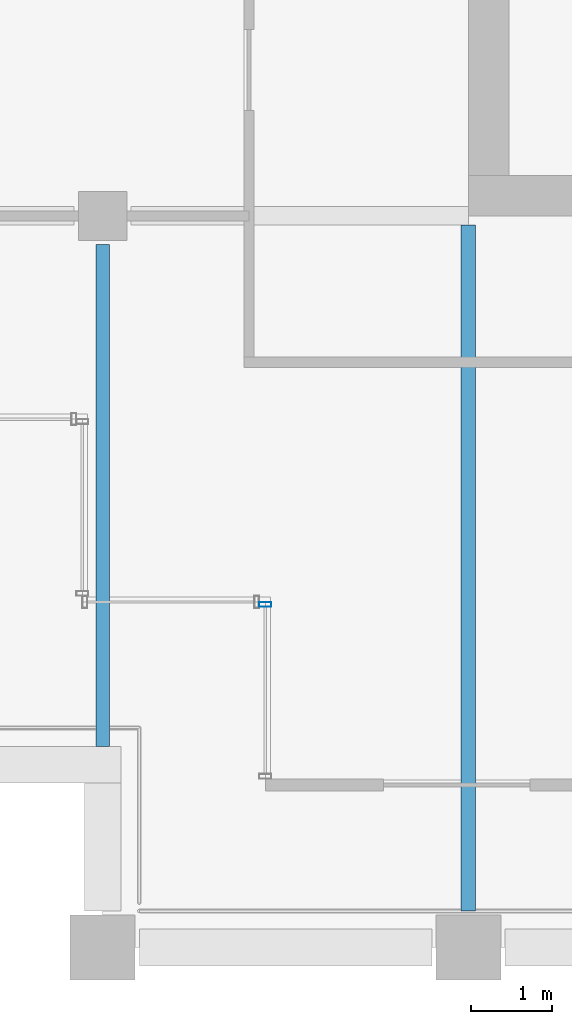
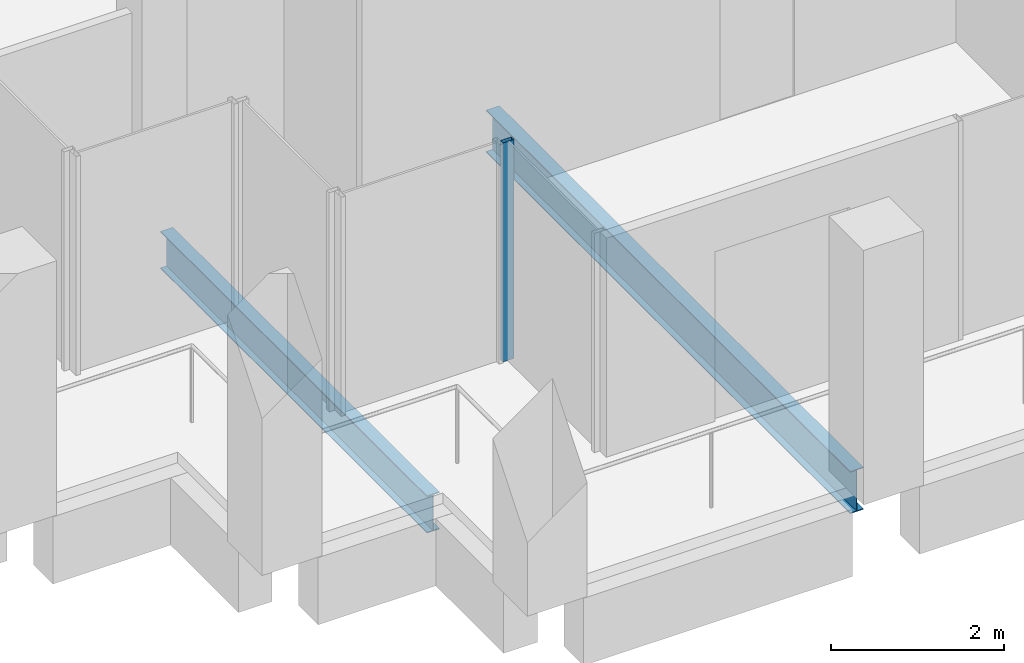
# One storey, part 29 of 40: 2 beams, 1 member, 1 element without a shape of its own.
"""IFC4 building model written with IfcOpenShell, lengths in metres."""

from ifc_helpers import new_model, si_unit, direction, frame, origin, origin_2d, place, context, subcontext, project, spatial, hollow_rectangle, i_section, extrude, material, material_profile, profile_set, type_object, element, aggregate, save


model = new_model("IFC4")

# Units and contexts
model_context = context("Model", 3, precision=1e-05, world=origin(), true_north=direction((0.0, 1.0)))
body_context = subcontext(model_context, "Body", "Model", "MODEL_VIEW")
ifc_project = project(units=[si_unit("LENGTHUNIT", "METRE"), si_unit("AREAUNIT", "SQUARE_METRE"), si_unit("VOLUMEUNIT", "CUBIC_METRE"), si_unit("PLANEANGLEUNIT", "RADIAN"), si_unit("MASSUNIT", "GRAM", prefix="KILO")], contexts=[model_context])

# Site, building, storey
site_placement = place(None, origin())
site = spatial("IfcSite", under=ifc_project, at=site_placement, CompositionType="ELEMENT")
building_placement = place(site_placement, origin())
building = spatial("IfcBuilding", under=site, at=building_placement, Name="Altepetl Exchange Towers", CompositionType="ELEMENT")
storey_placement = place(building_placement, frame((0.0, 0.0, 195.60009765625)))
storey = spatial("IfcBuildingStorey", under=building, at=storey_placement, Name="L49", CompositionType="ELEMENT", Elevation=195.60009765625)

# Beams
ifc_material_1 = material(Name="Steel S355", Category="steel")
ifc_material_profile_1 = material_profile(ifc_material_1, i_section(OverallWidth=0.166015625, OverallDepth=0.529052734375, WebThickness=0.009765625, FlangeThickness=0.013671875, at=origin_2d()), Name="W21X50")
ifc_profile_set_1 = profile_set([ifc_material_profile_1], Name="Steel S355")
beam_type_1 = type_object("IfcBeamType", Name="Floor beam W21X50", PredefinedType="BEAM", material=ifc_profile_set_1)
beam_1_placement = place(storey_placement, frame((99.0, 29.47509765625, -0.41455078125), z_axis=(0.0, 1.0, 0.0), x_axis=(-1.0, 0.0, 0.0)))
element("IfcBeam", 1, at=beam_1_placement, inside=storey, type_object=beam_type_1, Name="bm:B:L49:000", PredefinedType="BEAM", context=body_context, shape_type="SweptSolid", body=[
    extrude(i_section(OverallWidth=0.166015625, OverallDepth=0.529052734375, WebThickness=0.009765625, FlangeThickness=0.013671875, at=origin_2d()), origin(), (0.0, 0.0, 1.0), 6.1748046875),
])
ifc_material_profile_2 = material_profile(ifc_material_1, i_section(OverallWidth=0.177978515625, OverallDepth=0.59912109375, WebThickness=0.010009765625, FlangeThickness=0.0126953125, at=origin_2d()), Name="W24X55")
ifc_profile_set_2 = profile_set([ifc_material_profile_2], Name="Steel S355")
beam_type_2 = type_object("IfcBeamType", Name="Floor beam W24X55", PredefinedType="BEAM", material=ifc_profile_set_2)
beam_2_placement = place(storey_placement, frame((103.5, 27.449951171875, -0.44970703125), z_axis=(0.0, 1.0, 0.0), x_axis=(-1.0, 0.0, 0.0)))
element("IfcBeam", 2, at=beam_2_placement, inside=storey, type_object=beam_type_2, Name="bm:B:L49:001", PredefinedType="BEAM", context=body_context, shape_type="SweptSolid", body=[
    extrude(i_section(OverallWidth=0.177978515625, OverallDepth=0.59912109375, WebThickness=0.010009765625, FlangeThickness=0.0126953125, at=origin_2d()), origin(), (0.0, 0.0, 1.0), 8.43603515625),
])

# Curtain wall, member
ifc_material_2 = material(Name="Aluminium 6063-T6 glazing", Category="aluminium")
curtain_wall_type = type_object("IfcCurtainWallType", Name="Loggia glazing system", PredefinedType="NOTDEFINED", material=ifc_material_2)
curtain_wall_placement = place(storey_placement, origin())
curtain_wall = element("IfcCurtainWall", 3, at=curtain_wall_placement, inside=storey, type_object=curtain_wall_type, Name="CW1 run", PredefinedType="NOTDEFINED")
ifc_material_3 = material(Name="Aluminium 6063-T6", Category="aluminium")
ifc_material_profile_3 = material_profile(ifc_material_3, hollow_rectangle(XDim=0.06005859375, YDim=0.14990234375, WallThickness=0.0029296875, at=origin_2d()), Name="Mullion 60x150 aluminium")
ifc_profile_set_3 = profile_set([ifc_material_profile_3], Name="Aluminium 6063-T6")
member_type = type_object("IfcMemberType", Name="Mullion 60x150 aluminium", PredefinedType="MULLION", material=ifc_profile_set_3)
member_placement = place(storey_placement, frame((101.0, 31.219970703125, 0.0), z_axis=(0.0, 0.0, 1.0), x_axis=(0.0, -1.0, 0.0)))
member = element("IfcMember", 4, at=member_placement, type_object=member_type, Name="MU1 mullion", PredefinedType="MULLION", context=body_context, shape_type="SweptSolid", body=[
    extrude(hollow_rectangle(XDim=0.06005859375, YDim=0.14990234375, WallThickness=0.0029296875, at=origin_2d()), origin(), (0.0, 0.0, 1.0), 3.099853515625),
])
aggregate(curtain_wall, [member])

save(model, "model.ifc")
